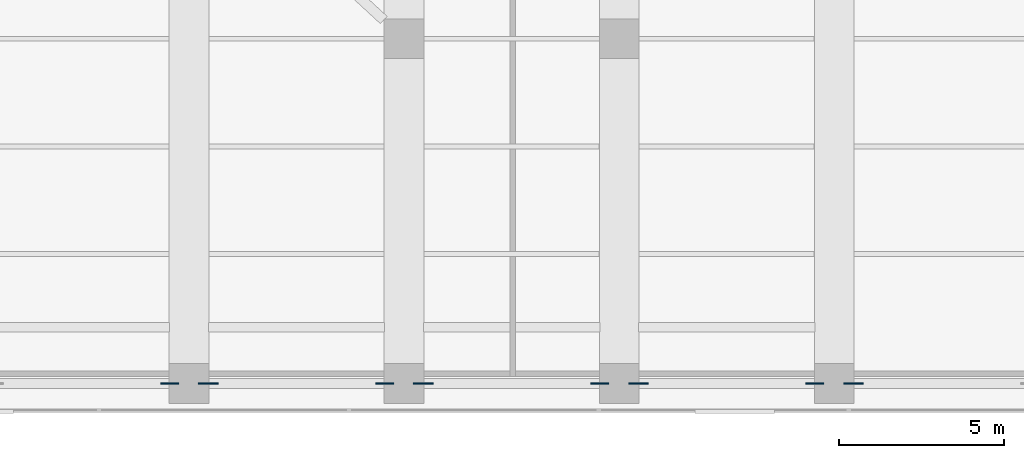
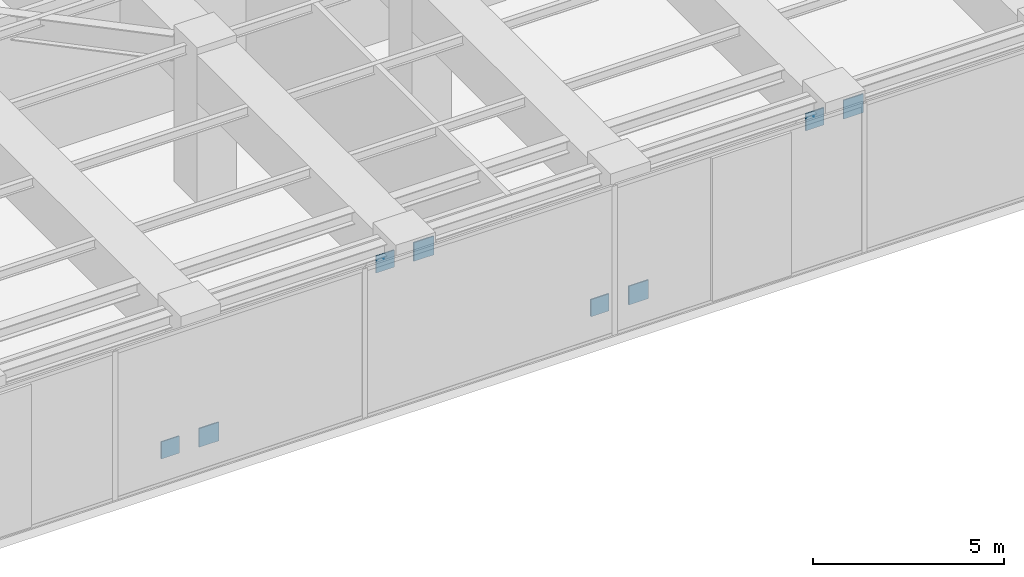
# One storey, part 18 of 28: 8 plates.
"""IFC4 building model written with IfcOpenShell, lengths in metres."""

from ifc_helpers import new_model, si_unit, direction, frame, origin, origin_2d, place, context, subcontext, project, spatial, rectangle, extrude, material, layer, layer_set, type_object, element, save


model = new_model("IFC4")

# Units and contexts
model_context = context("Model", 3, precision=1e-05, world=origin(), true_north=direction((0.0, 1.0)))
body_context = subcontext(model_context, "Body", "Model", "MODEL_VIEW")
ifc_project = project(units=[si_unit("LENGTHUNIT", "METRE"), si_unit("AREAUNIT", "SQUARE_METRE"), si_unit("VOLUMEUNIT", "CUBIC_METRE"), si_unit("PLANEANGLEUNIT", "RADIAN"), si_unit("MASSUNIT", "GRAM", prefix="KILO")], contexts=[model_context])

# Site, building, storey
site_placement = place(None, origin())
site = spatial("IfcSite", under=ifc_project, at=site_placement, CompositionType="ELEMENT")
building_placement = place(site_placement, origin())
building = spatial("IfcBuilding", under=site, at=building_placement, Name="Putna Gate Headquarters", CompositionType="ELEMENT")
storey_placement = place(building_placement, frame((0.0, 0.0, 139.199951171875)))
storey = spatial("IfcBuildingStorey", under=building, at=storey_placement, Name="L34", CompositionType="ELEMENT", Elevation=139.199951171875)

# Plates
ifc_material = material(Name="Steel S460M", Category="steel")
ifc_layer_1 = layer(ifc_material, 0.035888671875)
ifc_layer_set_1 = layer_set([ifc_layer_1], Name="Steel S460M")
plate_type_1 = type_object("IfcPlateType", Name="PLT-NODE-BN1", PredefinedType="SHEET", material=ifc_layer_set_1)
for number, where, z_axis, x_axis, name in (
    (1, (46.0849609375, 2.580078125, 0.14990234375), (0.0, 0.0, 1.0), (1.0, 0.0, 0.0), "L34 Belt Truss Node Gusset Plate S7-E1"),
    (2, (52.5849609375, 2.580078125, 3.822021484375), (0.0, 0.0, 1.0), (1.0, 0.0, 0.0), "L34 Belt Truss Node Gusset Plate S8-E1"),
    (3, (59.0849609375, 2.580078125, 0.14990234375), (0.0, 0.0, 1.0), (1.0, 0.0, 0.0), "L34 Belt Truss Node Gusset Plate S9-E1"),
    (4, (65.5849609375, 2.580078125, 3.822021484375), (0.0, 0.0, 1.0), (1.0, 0.0, 0.0), "L34 Belt Truss Node Gusset Plate S10-E1"),
):
    element("IfcPlate", number, at=place(storey_placement, frame(where, z_axis=z_axis, x_axis=x_axis)), inside=storey, type_object=plate_type_1, Name=name, PredefinedType="SHEET", context=body_context, shape_type="SweptSolid", body=[
        extrude(rectangle(XDim=0.60009765625, YDim=0.035888671875, at=origin_2d()), origin(), (0.0, 0.0, 1.0), 0.60009765625),
    ])
ifc_layer_2 = layer(ifc_material, 0.035888671875)
ifc_layer_set_2 = layer_set([ifc_layer_2], Name="Steel S460M")
plate_type_2 = type_object("IfcPlateType", Name="PLT-NODE-BN2", PredefinedType="SHEET", material=ifc_layer_set_2)
for number, where, z_axis, x_axis, name in (
    (5, (44.9150390625, 2.580078125, 0.1748046875), (0.0, 0.0, 1.0), (1.0, 0.0, 0.0), "L34 Belt Truss Node Gusset Plate S6-E2"),
    (6, (51.4150390625, 2.580078125, 3.84716796875), (0.0, 0.0, 1.0), (1.0, 0.0, 0.0), "L34 Belt Truss Node Gusset Plate S7-E2"),
    (7, (57.9150390625, 2.580078125, 0.1748046875), (0.0, 0.0, 1.0), (1.0, 0.0, 0.0), "L34 Belt Truss Node Gusset Plate S8-E2"),
    (8, (64.4150390625, 2.580078125, 3.84716796875), (0.0, 0.0, 1.0), (1.0, 0.0, 0.0), "L34 Belt Truss Node Gusset Plate S9-E2"),
):
    element("IfcPlate", number, at=place(storey_placement, frame(where, z_axis=z_axis, x_axis=x_axis)), inside=storey, type_object=plate_type_2, Name=name, PredefinedType="SHEET", context=body_context, shape_type="SweptSolid", body=[
        extrude(rectangle(XDim=0.550048828125, YDim=0.035888671875, at=origin_2d()), origin(), (0.0, 0.0, 1.0), 0.550048828125),
    ])

save(model, "model.ifc")
